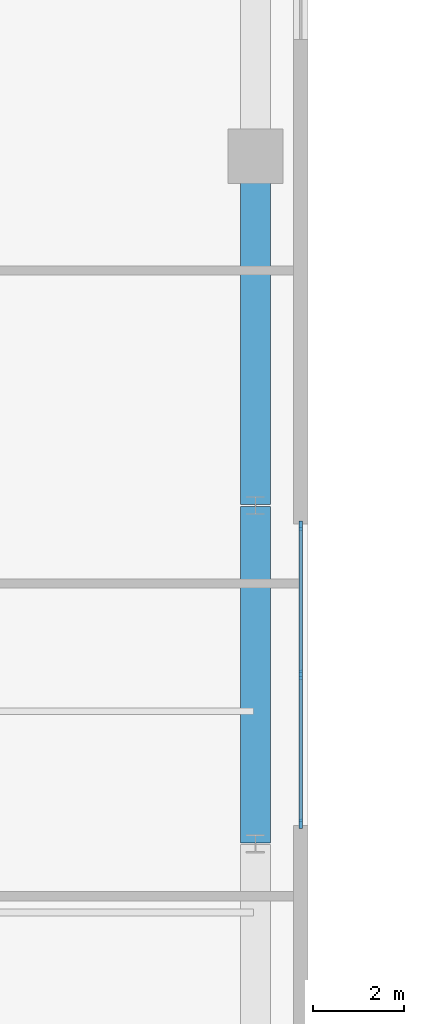
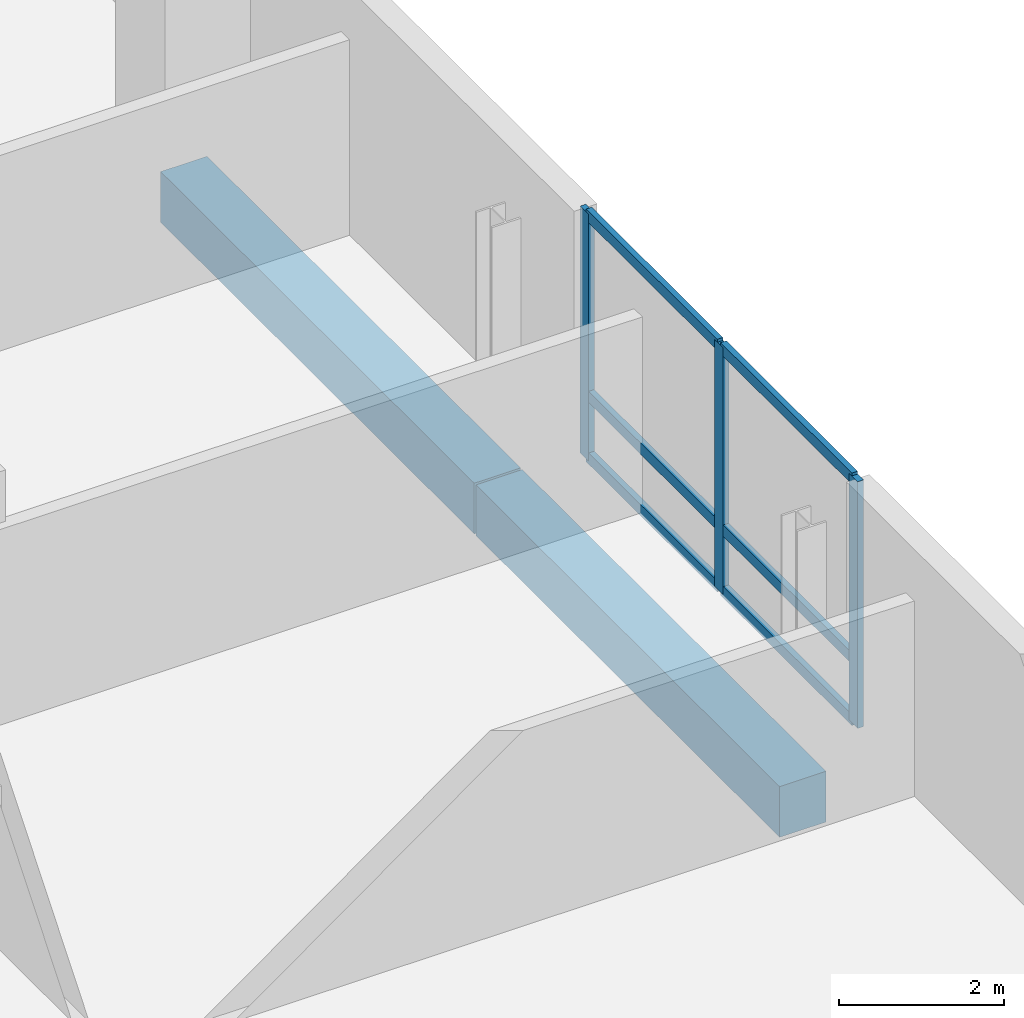
# One storey, part 5 of 15: 9 members, 2 beams, 1 element without a shape of its own.
"""IFC4 building model written with IfcOpenShell, lengths in metres."""

from ifc_helpers import new_model, si_unit, direction, frame, origin, origin_2d, place, context, subcontext, project, spatial, rectangle, extrude, source, transform, mapped, material, material_profile, profile_set, type_object, element, aggregate, save


model = new_model("IFC4")

# Units and contexts
model_context = context("Model", 3, precision=1e-05, world=origin(), true_north=direction((0.0, 1.0)))
body_context = subcontext(model_context, "Body", "Model", "MODEL_VIEW")
ifc_project = project(units=[si_unit("LENGTHUNIT", "METRE"), si_unit("AREAUNIT", "SQUARE_METRE"), si_unit("VOLUMEUNIT", "CUBIC_METRE"), si_unit("PLANEANGLEUNIT", "RADIAN"), si_unit("MASSUNIT", "GRAM", prefix="KILO")], contexts=[model_context])

# Site, building, storey
site_placement = place(None, origin())
site = spatial("IfcSite", under=ifc_project, at=site_placement, CompositionType="ELEMENT")
building_placement = place(site_placement, origin())
building = spatial("IfcBuilding", under=site, at=building_placement, Name="Vardaveli Station Tower", CompositionType="ELEMENT")
storey_placement = place(building_placement, frame((0.0, 0.0, 250.60009765625)))
storey = spatial("IfcBuildingStorey", under=building, at=storey_placement, Name="L64", CompositionType="ELEMENT", Elevation=250.60009765625)

# Beams
ifc_material_1 = material(Name="Precast concrete C45/55", Category="concrete")
ifc_material_profile_1 = material_profile(ifc_material_1, rectangle(XDim=0.64990234375, YDim=0.75, at=origin_2d()), Name="LPB 650x750")
ifc_profile_set_1 = profile_set([ifc_material_profile_1], Name="Precast concrete C45/55")
beam_type = type_object("IfcBeamType", Name="BM-LPB-750", PredefinedType="BEAM", material=ifc_profile_set_1)
shared_shape_1 = source(origin(), body_context, "Body", "SweptSolid", [
    extrude(rectangle(XDim=0.64990234375, YDim=0.75, at=origin_2d()), origin(), (0.0, 0.0, 1.0), 7.60009765625),
])
beam_1_placement = place(storey_placement, frame((61.25, 28.919921875, -0.59521484375), z_axis=(0.0, 1.0, 0.0), x_axis=(-1.0, 0.0, 0.0)))
element("IfcBeam", 1, at=beam_1_placement, inside=storey, type_object=beam_type, Name="RBM-L64-09", PredefinedType="BEAM", context=body_context, shape_type="MappedRepresentation", body=[
    mapped(shared_shape_1, transform((0.0, 0.0, 0.0), scale=1.0)),
])
shared_shape_2 = source(origin(), body_context, "Body", "SweptSolid", [
    extrude(rectangle(XDim=0.64990234375, YDim=0.75, at=origin_2d()), origin(), (0.0, 0.0, 1.0), 7.35986328125),
])
beam_2_placement = place(storey_placement, frame((61.25, 21.52001953125, -0.59521484375), z_axis=(0.0, 1.0, 0.0), x_axis=(-1.0, 0.0, 0.0)))
element("IfcBeam", 2, at=beam_2_placement, inside=storey, type_object=beam_type, Name="RBM-L64-08", PredefinedType="BEAM", context=body_context, shape_type="MappedRepresentation", body=[
    mapped(shared_shape_2, transform((0.0, 0.0, 0.0), scale=1.0)),
])

# Curtain wall, members
ifc_material_2 = material(Name="Travertine stone and solar-control glass", Category="masonry")
curtain_wall_type = type_object("IfcCurtainWallType", Name="CW-SYS-5", PredefinedType="NOTDEFINED", material=ifc_material_2)
curtain_wall_placement = place(storey_placement, origin())
curtain_wall = element("IfcCurtainWall", 3, at=curtain_wall_placement, inside=storey, type_object=curtain_wall_type, Name="CW-L64-E", PredefinedType="NOTDEFINED")
ifc_material_3 = material(Name="Anodised aluminium alloy 6063-T6", Category="aluminium")
ifc_material_profile_2 = material_profile(ifc_material_3, rectangle(XDim=0.080078125, YDim=0.1650390625, at=origin_2d()), Name="CWT 80x165")
ifc_profile_set_2 = profile_set([ifc_material_profile_2], Name="Anodised aluminium alloy 6063-T6")
member_type_1 = type_object("IfcMemberType", Name="CW-SYS-5-TRAN", PredefinedType="NOTDEFINED", material=ifc_profile_set_2)
shared_shape_3 = source(origin(), body_context, "Body", "SweptSolid", [
    extrude(rectangle(XDim=0.080078125, YDim=0.1650390625, at=origin_2d()), origin(), (0.0, 0.0, 1.0), 3.179931640625),
])
member_1_placement = place(storey_placement, frame((62.239990234375, 21.97998046875, 0.039794921875), z_axis=(0.0, 1.0, 0.0), x_axis=(-1.0, 0.0, 0.0)))
member_1 = element("IfcMember", 4, at=member_1_placement, type_object=member_type_1, Name="CW-5 transom 1.1", ObjectType="TRANSOM", PredefinedType="USERDEFINED", context=body_context, shape_type="MappedRepresentation", body=[
    mapped(shared_shape_3, transform((0.0, 0.0, 0.0), scale=1.0)),
])
member_2_placement = place(storey_placement, frame((62.239990234375, 21.97998046875, 0.949951171875), z_axis=(0.0, 1.0, 0.0), x_axis=(-1.0, 0.0, 0.0)))
member_2 = element("IfcMember", 5, at=member_2_placement, type_object=member_type_1, Name="CW-5 transom 1.2", ObjectType="TRANSOM", PredefinedType="USERDEFINED", context=body_context, shape_type="MappedRepresentation", body=[
    mapped(shared_shape_3, transform((0.0, 0.0, 0.0), scale=1.0)),
])
member_3_placement = place(storey_placement, frame((62.239990234375, 21.97998046875, 3.60986328125), z_axis=(0.0, 1.0, 0.0), x_axis=(-1.0, 0.0, 0.0)))
member_3 = element("IfcMember", 6, at=member_3_placement, type_object=member_type_1, Name="CW-5 transom 1.3", ObjectType="TRANSOM", PredefinedType="USERDEFINED", context=body_context, shape_type="MappedRepresentation", body=[
    mapped(shared_shape_3, transform((0.0, 0.0, 0.0), scale=1.0)),
])
member_4_placement = place(storey_placement, frame((62.239990234375, 25.239990234375, 0.039794921875), z_axis=(0.0, 1.0, 0.0), x_axis=(-1.0, 0.0, 0.0)))
member_4 = element("IfcMember", 7, at=member_4_placement, type_object=member_type_1, Name="CW-5 transom 2.1", ObjectType="TRANSOM", PredefinedType="USERDEFINED", context=body_context, shape_type="MappedRepresentation", body=[
    mapped(shared_shape_3, transform((0.0, 0.0, 0.0), scale=1.0)),
])
member_5_placement = place(storey_placement, frame((62.239990234375, 25.239990234375, 0.949951171875), z_axis=(0.0, 1.0, 0.0), x_axis=(-1.0, 0.0, 0.0)))
member_5 = element("IfcMember", 8, at=member_5_placement, type_object=member_type_1, Name="CW-5 transom 2.2", ObjectType="TRANSOM", PredefinedType="USERDEFINED", context=body_context, shape_type="MappedRepresentation", body=[
    mapped(shared_shape_3, transform((0.0, 0.0, 0.0), scale=1.0)),
])
member_6_placement = place(storey_placement, frame((62.239990234375, 25.239990234375, 3.60986328125), z_axis=(0.0, 1.0, 0.0), x_axis=(-1.0, 0.0, 0.0)))
member_6 = element("IfcMember", 9, at=member_6_placement, type_object=member_type_1, Name="CW-5 transom 2.3", ObjectType="TRANSOM", PredefinedType="USERDEFINED", context=body_context, shape_type="MappedRepresentation", body=[
    mapped(shared_shape_3, transform((0.0, 0.0, 0.0), scale=1.0)),
])
ifc_material_profile_3 = material_profile(ifc_material_3, rectangle(XDim=0.080078125, YDim=0.205078125, at=origin_2d()), Name="CWM 80x205")
ifc_profile_set_3 = profile_set([ifc_material_profile_3], Name="Anodised aluminium alloy 6063-T6")
member_type_2 = type_object("IfcMemberType", Name="CW-SYS-5-MULL", PredefinedType="MULLION", material=ifc_profile_set_3)
shared_shape_4 = source(origin(), body_context, "Body", "SweptSolid", [
    extrude(rectangle(XDim=0.080078125, YDim=0.205078125, at=origin_2d()), origin(), (0.0, 0.0, 1.0), 3.64990234375),
])
member_7_placement = place(storey_placement, frame((62.239990234375, 21.93994140625, 0.0), z_axis=(0.0, 0.0, 1.0), x_axis=(-1.0, 0.0, 0.0)))
member_7 = element("IfcMember", 10, at=member_7_placement, type_object=member_type_2, Name="CW-5 mullion 1", PredefinedType="MULLION", context=body_context, shape_type="MappedRepresentation", body=[
    mapped(shared_shape_4, transform((0.0, 0.0, 0.0), scale=1.0)),
])
member_8_placement = place(storey_placement, frame((62.239990234375, 25.199951171875, 0.0), z_axis=(0.0, 0.0, 1.0), x_axis=(-1.0, 0.0, 0.0)))
member_8 = element("IfcMember", 11, at=member_8_placement, type_object=member_type_2, Name="CW-5 mullion 2", PredefinedType="MULLION", context=body_context, shape_type="MappedRepresentation", body=[
    mapped(shared_shape_4, transform((0.0, 0.0, 0.0), scale=1.0)),
])
member_9_placement = place(storey_placement, frame((62.239990234375, 28.4599609375, 0.0), z_axis=(0.0, 0.0, 1.0), x_axis=(-1.0, 0.0, 0.0)))
member_9 = element("IfcMember", 12, at=member_9_placement, type_object=member_type_2, Name="CW-5 mullion 3", PredefinedType="MULLION", context=body_context, shape_type="MappedRepresentation", body=[
    mapped(shared_shape_4, transform((0.0, 0.0, 0.0), scale=1.0)),
])
aggregate(curtain_wall, [member_7, member_8, member_9, member_1, member_2, member_3, member_4, member_5, member_6])

save(model, "model.ifc")
